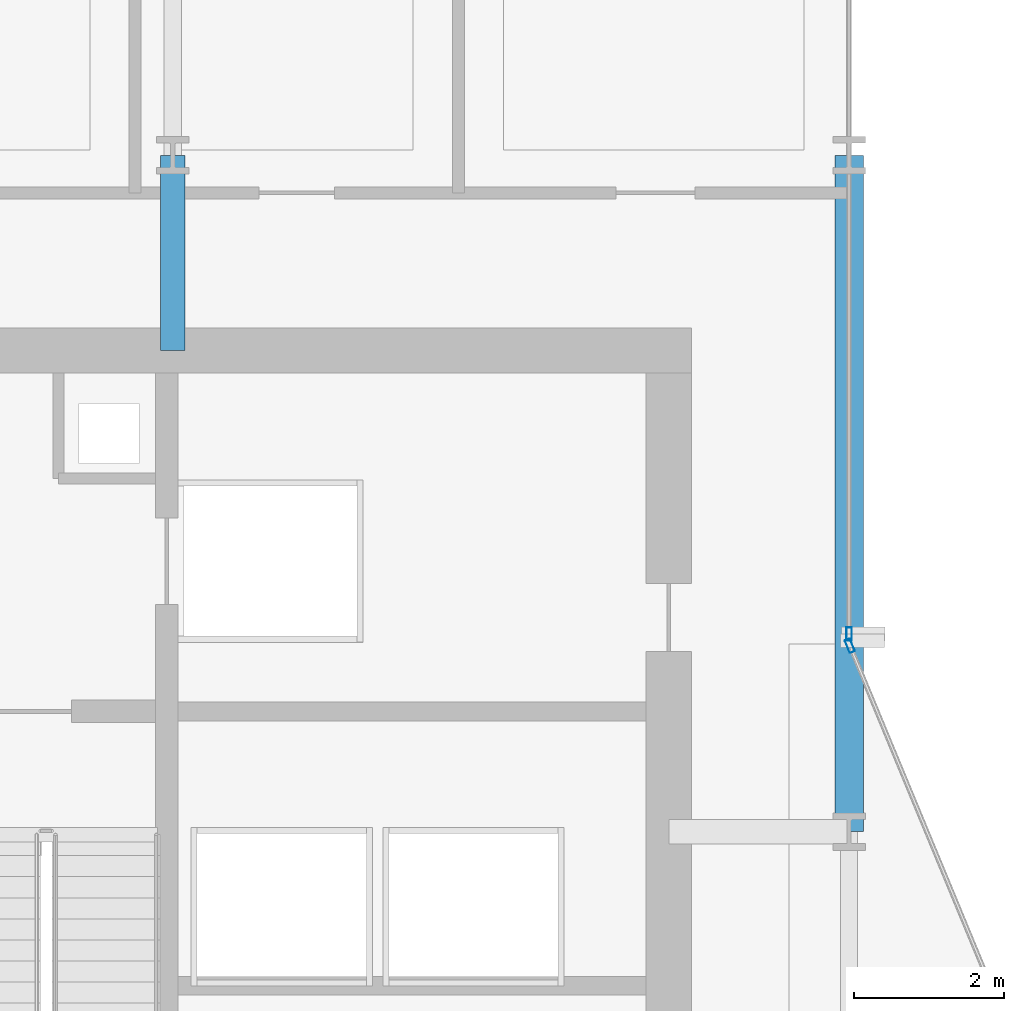
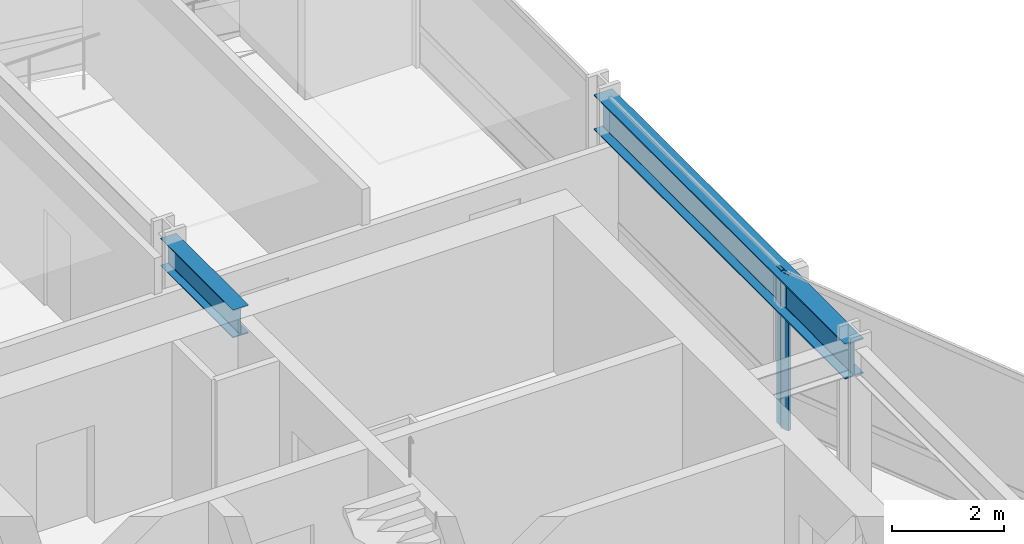
# One storey, part 21 of 34: 2 beams, 2 members, 2 elements without a shape of their own.
"""IFC4 building model written with IfcOpenShell, lengths in metres."""

from ifc_helpers import new_model, si_unit, direction, frame, origin, origin_2d, place, context, subcontext, project, spatial, hollow_rectangle, i_section, extrude, material, layer, layer_set, material_profile, profile_set, type_object, element, aggregate, save


model = new_model("IFC4")

# Units and contexts
model_context = context("Model", 3, precision=1e-05, world=origin(), true_north=direction((0.0, 1.0)))
body_context = subcontext(model_context, "Body", "Model", "MODEL_VIEW")
ifc_project = project(units=[si_unit("LENGTHUNIT", "METRE"), si_unit("AREAUNIT", "SQUARE_METRE"), si_unit("VOLUMEUNIT", "CUBIC_METRE"), si_unit("PLANEANGLEUNIT", "RADIAN"), si_unit("MASSUNIT", "GRAM", prefix="KILO")], contexts=[model_context])

# Site, building, storey
site_placement = place(None, origin())
site = spatial("IfcSite", under=ifc_project, at=site_placement, CompositionType="ELEMENT")
building_placement = place(site_placement, origin())
building = spatial("IfcBuilding", under=site, at=building_placement, Name="Solvaryn Broadcast Tower", CompositionType="ELEMENT")
storey_placement = place(building_placement, frame((0.0, 0.0, 58.199951171875)))
storey = spatial("IfcBuildingStorey", under=building, at=storey_placement, Name="L13", CompositionType="ELEMENT", Elevation=58.199951171875)

# Beams
ifc_material_1 = material(Name="Steel ASTM A992 Grade 50", Category="steel")
ifc_material_profile_1 = material_profile(ifc_material_1, i_section(OverallWidth=0.323974609375, OverallDepth=0.611083984375, WebThickness=0.0126953125, FlangeThickness=0.01904296875, FilletRadius=0.014892578125, at=origin_2d()))
ifc_profile_set_1 = profile_set([ifc_material_profile_1], Name="Steel ASTM A992 Grade 50")
beam_type_1 = type_object("IfcBeamType", Name="BM-B1-W24X104", PredefinedType="BEAM", material=ifc_profile_set_1)
beam_1_placement = place(storey_placement, frame((18.0, 42.39990234375, 3.114501953125), z_axis=(0.0, 1.0, 0.0), x_axis=(-1.0, 0.0, 0.0)))
element("IfcBeam", 1, at=beam_1_placement, inside=storey, type_object=beam_type_1, Name="L13 Core Tie Beam CTW3", PredefinedType="BEAM", context=body_context, shape_type="SweptSolid", body=[
    extrude(i_section(OverallWidth=0.323974609375, OverallDepth=0.611083984375, WebThickness=0.0126953125, FlangeThickness=0.01904296875, FilletRadius=0.014892578125, at=origin_2d()), origin(), (0.0, 0.0, 1.0), 2.60009765625),
])
ifc_material_2 = material(Name="Steel ASTM A992 Grade 50", Category="steel")
ifc_material_profile_2 = material_profile(ifc_material_2, i_section(OverallWidth=0.381103515625, OverallDepth=0.77294921875, WebThickness=0.0166015625, FlangeThickness=0.027099609375, FilletRadius=0.01806640625, at=origin_2d()))
ifc_profile_set_2 = profile_set([ifc_material_profile_2], Name="Steel ASTM A992 Grade 50")
beam_type_2 = type_object("IfcBeamType", Name="BM-SP1-W30X173", PredefinedType="USERDEFINED", material=ifc_profile_set_2)
beam_2_placement = place(storey_placement, frame((27.0, 36.0, 3.033447265625), z_axis=(0.0, 1.0, 0.0), x_axis=(-1.0, 0.0, 0.0)))
element("IfcBeam", 2, at=beam_2_placement, inside=storey, type_object=beam_type_2, Name="L13 Spandrel Beam Y (36-45 @ X=27)", ObjectType="SPANDREL", PredefinedType="USERDEFINED", context=body_context, shape_type="SweptSolid", body=[
    extrude(i_section(OverallWidth=0.381103515625, OverallDepth=0.77294921875, WebThickness=0.0166015625, FlangeThickness=0.027099609375, FilletRadius=0.01806640625, at=origin_2d()), origin(), (0.0, 0.0, 1.0), 9.0),
])

# Curtain wall, member
ifc_material_3 = material(Name="Aluminium and Terracotta Unitised Curtain Wall", Category="masonry")
ifc_layer = layer(ifc_material_3, 0.199951171875)
ifc_layer_set = layer_set([ifc_layer], Name="CW-SYS2-LOWMID")
curtain_wall_type = type_object("IfcCurtainWallType", Name="CW-SYS2-LOWMID", PredefinedType="NOTDEFINED", material=ifc_layer_set)
curtain_wall_1_placement = place(storey_placement, origin())
curtain_wall_1 = element("IfcCurtainWall", 3, at=curtain_wall_1_placement, inside=storey, type_object=curtain_wall_type, Name="L13 Curtain Wall IV", PredefinedType="NOTDEFINED")
ifc_material_4 = material(Name="Anodised Aluminium 6063-T6", Category="aluminium")
ifc_material_profile_3 = material_profile(ifc_material_4, hollow_rectangle(XDim=0.074951171875, YDim=0.179931640625, WallThickness=0.00390625, InnerFilletRadius=0.00390625, OuterFilletRadius=0.008056640625, at=origin_2d()))
ifc_profile_set_3 = profile_set([ifc_material_profile_3], Name="Anodised Aluminium 6063-T6")
member_type = type_object("IfcMemberType", Name="CW-MUL-180", PredefinedType="MULLION", material=ifc_profile_set_3)
member_1_placement = place(storey_placement, frame((27.0, 38.6298828125, 0.0), z_axis=(0.0, 0.0, 1.0), x_axis=(1.0, 0.0, 0.0)))
member_1 = element("IfcMember", 4, at=member_1_placement, type_object=member_type, Name="CWS2 mullion 2", PredefinedType="MULLION", context=body_context, shape_type="SweptSolid", body=[
    extrude(hollow_rectangle(XDim=0.074951171875, YDim=0.179931640625, WallThickness=0.00390625, InnerFilletRadius=0.00390625, OuterFilletRadius=0.008056640625, at=origin_2d()), origin(), (0.0, 0.0, 1.0), 3.420166015625),
])
aggregate(curtain_wall_1, [member_1])

curtain_wall_2_placement = place(storey_placement, origin())
curtain_wall_2 = element("IfcCurtainWall", 5, at=curtain_wall_2_placement, inside=storey, type_object=curtain_wall_type, Name="L13 Curtain Wall CN2", PredefinedType="NOTDEFINED")
member_2_placement = place(storey_placement, frame((27.011474609375, 38.47216796875, 0.0), z_axis=(0.0, 0.0, 1.0), x_axis=(-0.923894983957, -0.382646127145, 0.0)))
member_2 = element("IfcMember", 6, at=member_2_placement, type_object=member_type, Name="CWS2 mullion 2", PredefinedType="MULLION", context=body_context, shape_type="SweptSolid", body=[
    extrude(hollow_rectangle(XDim=0.074951171875, YDim=0.179931640625, WallThickness=0.00390625, InnerFilletRadius=0.00390625, OuterFilletRadius=0.008056640625, at=origin_2d()), origin(), (0.0, 0.0, 1.0), 3.420166015625),
])
aggregate(curtain_wall_2, [member_2])

save(model, "model.ifc")
